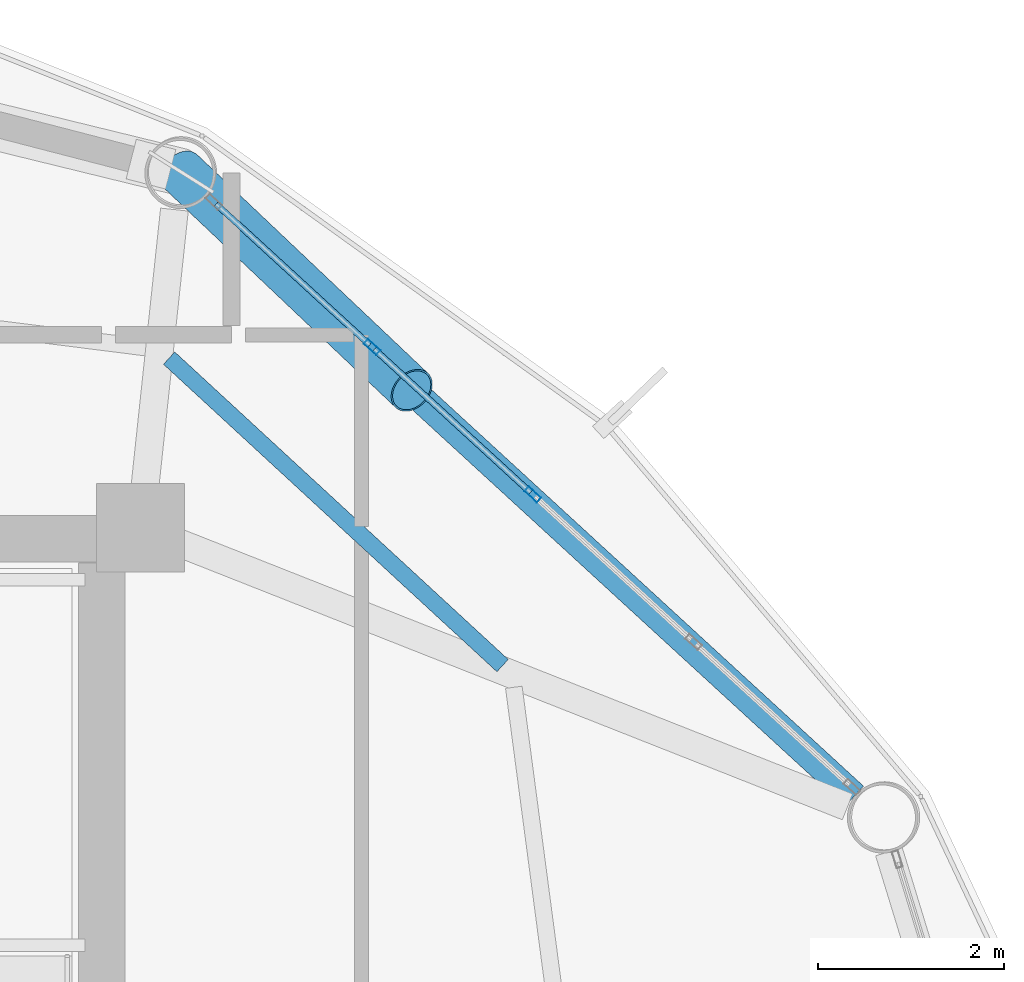
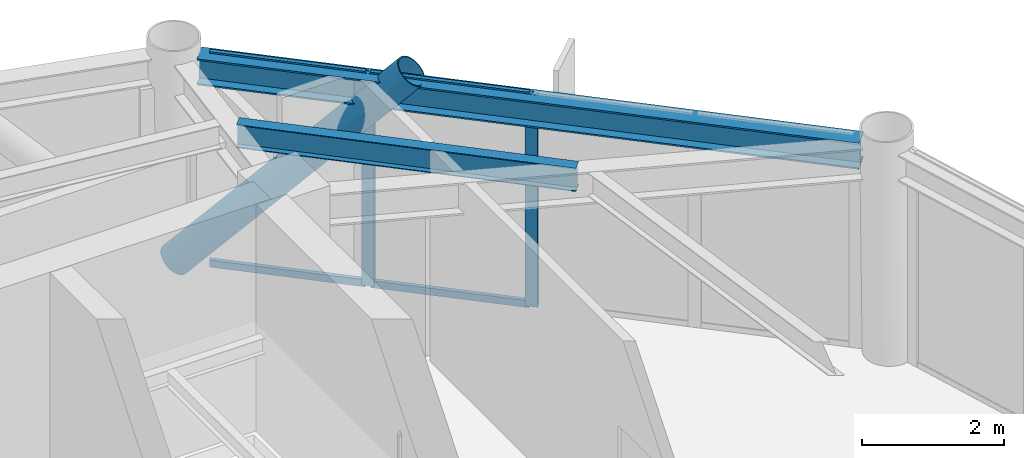
# One storey, part 19 of 25: 7 members, 2 beams, 1 element without a shape of its own.
"""IFC4 building model written with IfcOpenShell, lengths in metres."""

from ifc_helpers import new_model, si_unit, direction, frame, origin, origin_2d, place, context, subcontext, project, spatial, hollow_rectangle, hollow_circle, i_section, extrude, material, layer, layer_set, material_profile, profile_set, type_object, element, aggregate, save


model = new_model("IFC4")

# Units and contexts
model_context = context("Model", 3, precision=1e-05, world=origin(), true_north=direction((0.0, 1.0)))
body_context = subcontext(model_context, "Body", "Model", "MODEL_VIEW")
ifc_project = project(units=[si_unit("LENGTHUNIT", "METRE"), si_unit("AREAUNIT", "SQUARE_METRE"), si_unit("VOLUMEUNIT", "CUBIC_METRE"), si_unit("PLANEANGLEUNIT", "RADIAN"), si_unit("MASSUNIT", "GRAM", prefix="KILO")], contexts=[model_context])

# Site, building, storey
site_placement = place(None, origin())
site = spatial("IfcSite", under=ifc_project, at=site_placement, CompositionType="ELEMENT")
building_placement = place(site_placement, origin())
building = spatial("IfcBuilding", under=site, at=building_placement, Name="Varnakorn Sky Granary", CompositionType="ELEMENT")
storey_placement = place(building_placement, frame((0.0, 0.0, 146.10009765625)))
storey = spatial("IfcBuildingStorey", under=building, at=storey_placement, Name="L36", CompositionType="ELEMENT", Elevation=146.10009765625)

# Beams
ifc_material_1 = material(Name="Steel S355JR", Category="steel")
ifc_material_profile_1 = material_profile(ifc_material_1, i_section(OverallWidth=0.179931640625, OverallDepth=0.39990234375, WebThickness=0.008544921875, FlangeThickness=0.013427734375, at=origin_2d()), Name="IPE 400")
ifc_profile_set_1 = profile_set([ifc_material_profile_1], Name="Steel S355JR")
beam_type_1 = type_object("IfcBeamType", Name="BM-SEC-Z3", PredefinedType="BEAM", material=ifc_profile_set_1)
beam_1_placement = place(storey_placement, frame((12.322998046875, 11.13330078125, 3.43994140625), z_axis=(-0.735132547767, 0.677923400698, 0.0), x_axis=(-0.677923400698, -0.735132547767, 0.0)))
element("IfcBeam", 1, at=beam_1_placement, inside=storey, type_object=beam_type_1, Name="Secondary Floor Chord Beam MSB02 L36", PredefinedType="BEAM", context=body_context, shape_type="SweptSolid", body=[
    extrude(i_section(OverallWidth=0.179931640625, OverallDepth=0.39990234375, WebThickness=0.008544921875, FlangeThickness=0.013427734375, at=origin_2d()), origin(), (0.0, 0.0, 1.0), 4.890625),
])
ifc_material_profile_2 = material_profile(ifc_material_1, i_section(OverallWidth=0.300048828125, OverallDepth=0.449951171875, WebThickness=0.013916015625, FlangeThickness=0.02587890625, at=origin_2d()), Name="HE 450 B")
ifc_profile_set_2 = profile_set([ifc_material_profile_2], Name="Steel S355JR")
beam_type_2 = type_object("IfcBeamType", Name="BM-SPD-Z3", PredefinedType="SPANDREL", material=ifc_profile_set_2)
beam_2_placement = place(storey_placement, frame((16.112060546875, 9.72412109375, 3.414794921875), z_axis=(-0.736711465157, 0.67620722941, 0.0), x_axis=(-0.67620722941, -0.736711465157, 0.0)))
element("IfcBeam", 2, at=beam_2_placement, inside=storey, type_object=beam_type_2, Name="Perimeter Spandrel Ring Beam RB02 L36", PredefinedType="SPANDREL", context=body_context, shape_type="SweptSolid", body=[
    extrude(i_section(OverallWidth=0.300048828125, OverallDepth=0.449951171875, WebThickness=0.013916015625, FlangeThickness=0.02587890625, at=origin_2d()), origin(), (0.0, 0.0, 1.0), 9.52685546875),
])

# Curtain wall, members
ifc_material_2 = material(Name="Anodised Bronze Aluminium Alloy 6063-T6", Category="aluminium")
ifc_layer = layer(ifc_material_2, 0.179931640625, Name="Anodised Bronze Aluminium Alloy 6063-T6")
ifc_layer_set = layer_set([ifc_layer], Name="Anodised Bronze Aluminium Alloy 6063-T6")
curtain_wall_type = type_object("IfcCurtainWallType", Name="CW-FRM-2", PredefinedType="USERDEFINED", material=ifc_layer_set)
curtain_wall_placement = place(storey_placement, origin())
curtain_wall = element("IfcCurtainWall", 3, at=curtain_wall_placement, inside=storey, type_object=curtain_wall_type, Name="Unitised Curtain Wall CW4 CW-L36-B02", ObjectType="CURTAIN WALL", PredefinedType="USERDEFINED")
ifc_material_profile_3 = material_profile(ifc_material_2, hollow_rectangle(XDim=0.070068359375, YDim=0.18505859375, WallThickness=0.00390625, at=origin_2d()), Name="ALU MULL 70x185")
ifc_profile_set_3 = profile_set([ifc_material_profile_3], Name="Anodised Bronze Aluminium Alloy 6063-T6")
member_type_1 = type_object("IfcMemberType", Name="CW-FRM-2-MULL", PredefinedType="MULLION", material=ifc_profile_set_3)
member_1_placement = place(storey_placement, frame((10.91552734375, 14.567626953125, 0.0), z_axis=(0.0, 0.0, 1.0), x_axis=(0.675960473988, 0.736937879069, 0.0)))
member_1 = element("IfcMember", 4, at=member_1_placement, type_object=member_type_1, Name="CW4 mullion 2", PredefinedType="MULLION", context=body_context, shape_type="SweptSolid", body=[
    extrude(hollow_rectangle(XDim=0.070068359375, YDim=0.18505859375, WallThickness=0.00390625, at=origin_2d()), origin(), (0.0, 0.0, 1.0), 3.639892578125),
])
member_2_placement = place(storey_placement, frame((12.648681640625, 12.977783203125, 0.0), z_axis=(0.0, 0.0, 1.0), x_axis=(0.675960473988, 0.736937879069, 0.0)))
member_2 = element("IfcMember", 5, at=member_2_placement, type_object=member_type_1, Name="CW4 mullion 3", PredefinedType="MULLION", context=body_context, shape_type="SweptSolid", body=[
    extrude(hollow_rectangle(XDim=0.070068359375, YDim=0.18505859375, WallThickness=0.00390625, at=origin_2d()), origin(), (0.0, 0.0, 1.0), 3.639892578125),
])
ifc_material_profile_4 = material_profile(ifc_material_2, hollow_rectangle(XDim=0.06494140625, YDim=0.1201171875, WallThickness=0.00341796875, at=origin_2d()), Name="ALU TRAN 65x120")
ifc_profile_set_4 = profile_set([ifc_material_profile_4], Name="Anodised Bronze Aluminium Alloy 6063-T6")
member_type_2 = type_object("IfcMemberType", Name="CW-FRM-2-TRAN", PredefinedType="USERDEFINED", material=ifc_profile_set_4)
member_3_placement = place(storey_placement, frame((9.234130859375, 16.10986328125, 0.032470703125), z_axis=(0.736933057547, -0.675965730415, 0.0), x_axis=(0.675965730415, 0.736933057547, 0.0)))
member_3 = element("IfcMember", 6, at=member_3_placement, type_object=member_type_2, Name="CW4 transom 1.1", ObjectType="TRANSOM", PredefinedType="USERDEFINED", context=body_context, shape_type="SweptSolid", body=[
    extrude(hollow_rectangle(XDim=0.06494140625, YDim=0.1201171875, WallThickness=0.00341796875, at=origin_2d()), origin(), (0.0, 0.0, 1.0), 2.24658203125),
])
member_4_placement = place(storey_placement, frame((9.234130859375, 16.10986328125, 3.607421875), z_axis=(0.736933057547, -0.675965730415, 0.0), x_axis=(0.675965730415, 0.736933057547, 0.0)))
member_4 = element("IfcMember", 7, at=member_4_placement, type_object=member_type_2, Name="CW4 transom 1.2", ObjectType="TRANSOM", PredefinedType="USERDEFINED", context=body_context, shape_type="SweptSolid", body=[
    extrude(hollow_rectangle(XDim=0.06494140625, YDim=0.1201171875, WallThickness=0.00341796875, at=origin_2d()), origin(), (0.0, 0.0, 1.0), 2.24658203125),
])
member_5_placement = place(storey_placement, frame((10.94140625, 14.5439453125, 0.032470703125), z_axis=(0.736892041746, -0.676010442827, 0.0), x_axis=(0.676010442827, 0.736892041746, 0.0)))
member_5 = element("IfcMember", 8, at=member_5_placement, type_object=member_type_2, Name="CW4 transom 2.1", ObjectType="TRANSOM", PredefinedType="USERDEFINED", context=body_context, shape_type="SweptSolid", body=[
    extrude(hollow_rectangle(XDim=0.06494140625, YDim=0.1201171875, WallThickness=0.00341796875, at=origin_2d()), origin(), (0.0, 0.0, 1.0), 2.28173828125),
])
member_6_placement = place(storey_placement, frame((10.94140625, 14.5439453125, 3.607421875), z_axis=(0.736892041746, -0.676010442827, 0.0), x_axis=(0.676010442827, 0.736892041746, 0.0)))
member_6 = element("IfcMember", 9, at=member_6_placement, type_object=member_type_2, Name="CW4 transom 2.2", ObjectType="TRANSOM", PredefinedType="USERDEFINED", context=body_context, shape_type="SweptSolid", body=[
    extrude(hollow_rectangle(XDim=0.06494140625, YDim=0.1201171875, WallThickness=0.00341796875, at=origin_2d()), origin(), (0.0, 0.0, 1.0), 2.28173828125),
])
aggregate(curtain_wall, [member_1, member_2, member_3, member_4, member_5, member_6])

# Member
ifc_material_3 = material(Name="Steel S460M", Category="steel")
ifc_material_profile_5 = material_profile(ifc_material_3, hollow_circle(Radius=0.25390625, WallThickness=0.01806640625, at=origin_2d()), Name="CHS 508x18")
ifc_profile_set_5 = profile_set([ifc_material_profile_5], Name="Steel S460M")
member_type_3 = type_object("IfcMemberType", Name="MB-DIAG-T2", PredefinedType="BRACE", material=ifc_profile_set_5)
member_7_placement = place(storey_placement, frame((8.857421875, 16.455322265625, 0.0), z_axis=(0.48673440517, -0.460920559286, 0.742052462331), x_axis=(0.687590348597, 0.726098831094, 0.0)))
element("IfcMember", 10, at=member_7_placement, inside=storey, type_object=member_type_3, Name="Perimeter CHS Diagrid Brace DG02 L36", PredefinedType="BRACE", context=body_context, shape_type="SweptSolid", body=[
    extrude(hollow_circle(Radius=0.25390625, WallThickness=0.01806640625, at=origin_2d()), origin(), (0.0, 0.0, 1.0), 5.107177734375),
])

save(model, "model.ifc")
